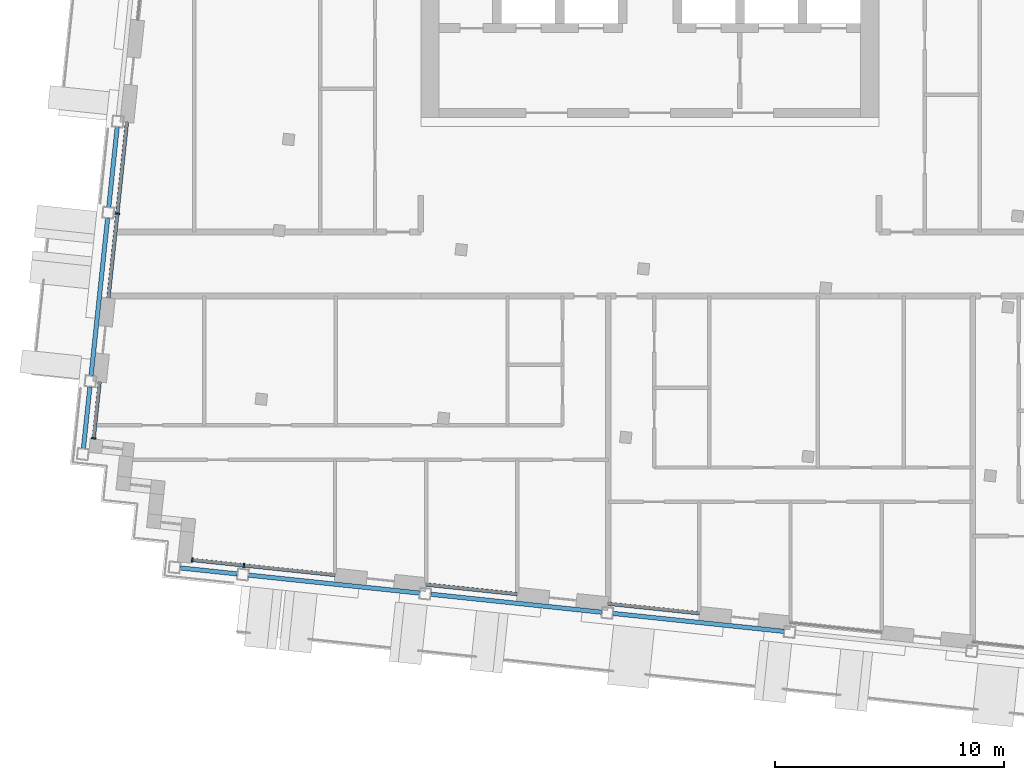
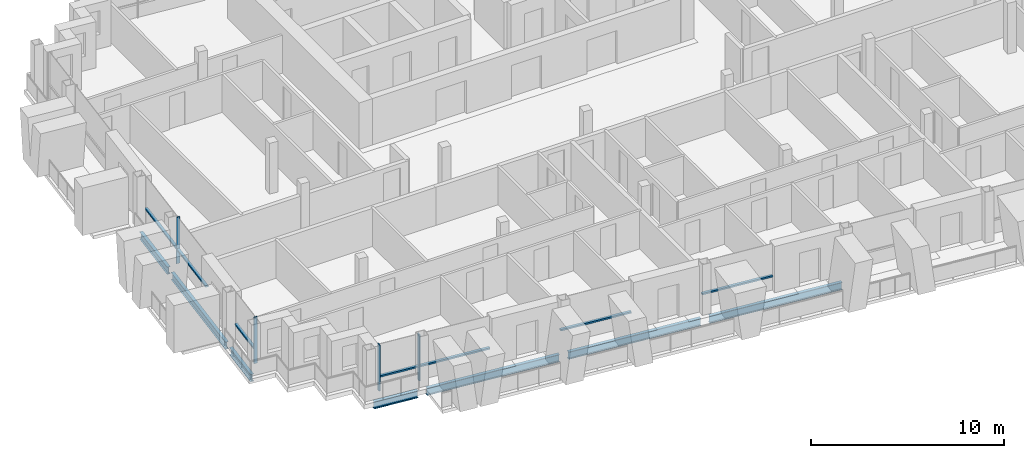
# One storey, part 2 of 17: 11 members, 7 beams, 5 elements without a shape of their own.
"""IFC4 building model written with IfcOpenShell, lengths in metres."""

from ifc_helpers import new_model, si_unit, direction, frame, origin, origin_2d, place, context, subcontext, project, spatial, rectangle, i_section, extrude, material, material_profile, profile_set, type_object, element, aggregate, save


model = new_model("IFC4")

# Units and contexts
model_context = context("Model", 3, precision=1e-05, world=origin(), true_north=direction((0.0, 1.0)))
body_context = subcontext(model_context, "Body", "Model", "MODEL_VIEW")
ifc_project = project(units=[si_unit("LENGTHUNIT", "METRE"), si_unit("AREAUNIT", "SQUARE_METRE"), si_unit("VOLUMEUNIT", "CUBIC_METRE"), si_unit("PLANEANGLEUNIT", "RADIAN"), si_unit("MASSUNIT", "GRAM", prefix="KILO")], contexts=[model_context])

# Site, building, storey
site_placement = place(None, origin())
site = spatial("IfcSite", under=ifc_project, at=site_placement, CompositionType="ELEMENT")
building_placement = place(site_placement, origin())
building = spatial("IfcBuilding", under=site, at=building_placement, Name="Vidyagriha Tower", CompositionType="ELEMENT")
storey_placement = place(building_placement, frame((0.0, 0.0, 269.10009765625)))
storey = spatial("IfcBuildingStorey", under=building, at=storey_placement, Name="L70", CompositionType="ELEMENT", Elevation=269.10009765625)

# Beams
ifc_material_1 = material(Name="Steel ASTM A992 Grade 50", Category="steel")
ifc_material_profile_1 = material_profile(ifc_material_1, i_section(OverallWidth=0.19189453125, OverallDepth=0.46240234375, WebThickness=0.010498046875, FlangeThickness=0.017578125, at=origin_2d()), Name="W18X60")
ifc_profile_set_1 = profile_set([ifc_material_profile_1], Name="Steel ASTM A992 Grade 50")
beam_type = type_object("IfcBeamType", Name="Edge beam W18X60", PredefinedType="SPANDREL", material=ifc_profile_set_1)
beam_1_placement = place(storey_placement, frame((-20.50341796875, -13.268798828125, -0.51123046875), z_axis=(0.994525767953, -0.104491611519, 0.0), x_axis=(0.104491611519, 0.994525767953, 0.0)))
element("IfcBeam", 1, at=beam_1_placement, inside=storey, type_object=beam_type, Name="st-beam-L70-S01", PredefinedType="SPANDREL", context=body_context, shape_type="SweptSolid", body=[
    extrude(i_section(OverallWidth=0.19189453125, OverallDepth=0.46240234375, WebThickness=0.010498046875, FlangeThickness=0.017578125, at=origin_2d()), origin(), (0.0, 0.0, 1.0), 2.5),
])
for number, where, z_axis, x_axis, name in (
    (2, (-17.519775390625, -13.582275390625, -0.51123046875), (0.994522384662, -0.104523807841, 0.0), (0.104523807841, 0.994522384662, 0.0), "st-beam-L70-S02"),
    (3, (-9.563720703125, -14.418701171875, -0.51123046875), (0.994525767953, -0.104491611519, 0.0), (0.104491611519, 0.994525767953, 0.0), "st-beam-L70-S03"),
    (4, (-1.607421875, -15.2548828125, -0.51123046875), (0.994522384662, -0.104523807841, 0.0), (0.104523807841, 0.994522384662, 0.0), "st-beam-L70-S04"),
):
    element("IfcBeam", number, at=place(storey_placement, frame(where, z_axis=z_axis, x_axis=x_axis)), inside=storey, type_object=beam_type, Name=name, PredefinedType="SPANDREL", context=body_context, shape_type="SweptSolid", body=[
        extrude(i_section(OverallWidth=0.19189453125, OverallDepth=0.46240234375, WebThickness=0.010498046875, FlangeThickness=0.017578125, at=origin_2d()), origin(), (0.0, 0.0, 1.0), 7.5),
    ])
beam_2_placement = place(storey_placement, frame((-24.730712890625, -8.04833984375, -0.51123046875), z_axis=(0.104524753323, 0.994522285292, 0.0), x_axis=(-0.994522285292, 0.104524753323, 0.0)))
element("IfcBeam", 5, at=beam_2_placement, inside=storey, type_object=beam_type, Name="st-beam-L70-W08", PredefinedType="SPANDREL", context=body_context, shape_type="SweptSolid", body=[
    extrude(i_section(OverallWidth=0.19189453125, OverallDepth=0.46240234375, WebThickness=0.010498046875, FlangeThickness=0.017578125, at=origin_2d()), origin(), (0.0, 0.0, 1.0), 2.7001953125),
])
beam_3_placement = place(storey_placement, frame((-24.396484375, -4.86572265625, -0.51123046875), z_axis=(0.104557694553, 0.994518822602, 0.0), x_axis=(-0.994518822602, 0.104557694553, 0.0)))
element("IfcBeam", 6, at=beam_3_placement, inside=storey, type_object=beam_type, Name="st-beam-L70-W09", PredefinedType="SPANDREL", context=body_context, shape_type="SweptSolid", body=[
    extrude(i_section(OverallWidth=0.19189453125, OverallDepth=0.46240234375, WebThickness=0.010498046875, FlangeThickness=0.017578125, at=origin_2d()), origin(), (0.0, 0.0, 1.0), 6.89990234375),
])
beam_4_placement = place(storey_placement, frame((-23.622802734375, 2.49365234375, -0.51123046875), z_axis=(0.104488712073, 0.994526072584, 0.0), x_axis=(-0.994526072584, 0.104488712073, 0.0)))
element("IfcBeam", 7, at=beam_4_placement, inside=storey, type_object=beam_type, Name="st-beam-L70-W10", PredefinedType="SPANDREL", context=body_context, shape_type="SweptSolid", body=[
    extrude(i_section(OverallWidth=0.19189453125, OverallDepth=0.46240234375, WebThickness=0.010498046875, FlangeThickness=0.017578125, at=origin_2d()), origin(), (0.0, 0.0, 1.0), 3.5),
])

# Curtain wall, member
ifc_material_2 = material(Name="Aluminium and glass curtain wall", Category="aluminium")
curtain_wall_type = type_object("IfcCurtainWallType", Name="Dwelling skin unitised curtain wall", PredefinedType="USERDEFINED", material=ifc_material_2)
curtain_wall_1_placement = place(storey_placement, origin())
curtain_wall_1 = element("IfcCurtainWall", 8, at=curtain_wall_1_placement, inside=storey, type_object=curtain_wall_type, Name="CW1 dwelling skin", ObjectType="UNITISED", PredefinedType="USERDEFINED")
ifc_material_3 = material(Name="Aluminium black anodised", Category="aluminium")
ifc_material_profile_2 = material_profile(ifc_material_3, rectangle(XDim=0.199951171875, YDim=0.070068359375, at=origin_2d()), Name="Mullion 70x200 black aluminium")
ifc_profile_set_2 = profile_set([ifc_material_profile_2], Name="Aluminium black anodised")
member_type_1 = type_object("IfcMemberType", Name="Mullion 70x200 black aluminium", PredefinedType="MULLION", material=ifc_profile_set_2)
member_1_placement = place(storey_placement, frame((-23.251220703125, 2.203369140625, 0.0), z_axis=(0.0, 0.0, 1.0), x_axis=(0.994521452706, -0.10453267483, 0.0)))
member_1 = element("IfcMember", 9, at=member_1_placement, type_object=member_type_1, Name="CW1 mullion 2", PredefinedType="MULLION", context=body_context, shape_type="SweptSolid", body=[
    extrude(rectangle(XDim=0.199951171875, YDim=0.070068359375, at=origin_2d()), origin(), (0.0, 0.0, 1.0), 2.919921875),
])

curtain_wall_2_placement = place(storey_placement, origin())
curtain_wall_2 = element("IfcCurtainWall", 10, at=curtain_wall_2_placement, inside=storey, type_object=curtain_wall_type, Name="CW1 dwelling skin", ObjectType="UNITISED", PredefinedType="USERDEFINED")
member_2_placement = place(storey_placement, frame((-24.2822265625, -7.60791015625, 0.0), z_axis=(0.0, 0.0, 1.0), x_axis=(0.994523191389, -0.10451613172, 0.0)))
member_2 = element("IfcMember", 11, at=member_2_placement, type_object=member_type_1, Name="CW1 mullion 2", PredefinedType="MULLION", context=body_context, shape_type="SweptSolid", body=[
    extrude(rectangle(XDim=0.199951171875, YDim=0.070068359375, at=origin_2d()), origin(), (0.0, 0.0, 1.0), 2.919921875),
])

# Curtain wall, members
curtain_wall_3_placement = place(storey_placement, origin())
curtain_wall_3 = element("IfcCurtainWall", 12, at=curtain_wall_3_placement, inside=storey, type_object=curtain_wall_type, Name="CW1 dwelling skin", ObjectType="UNITISED", PredefinedType="USERDEFINED")
member_3_placement = place(storey_placement, frame((-19.979248046875, -12.921630859375, 0.0), z_axis=(0.0, 0.0, 1.0), x_axis=(0.104523661385, 0.994522400055, 0.0)))
member_3 = element("IfcMember", 13, at=member_3_placement, type_object=member_type_1, Name="CW1 mullion 1", PredefinedType="MULLION", context=body_context, shape_type="SweptSolid", body=[
    extrude(rectangle(XDim=0.199951171875, YDim=0.070068359375, at=origin_2d()), origin(), (0.0, 0.0, 1.0), 2.919921875),
])
member_4_placement = place(storey_placement, frame((-17.7265625, -13.158447265625, 0.0), z_axis=(0.0, 0.0, 1.0), x_axis=(0.104523661385, 0.994522400055, 0.0)))
member_4 = element("IfcMember", 14, at=member_4_placement, type_object=member_type_1, Name="CW1 mullion 2", PredefinedType="MULLION", context=body_context, shape_type="SweptSolid", body=[
    extrude(rectangle(XDim=0.199951171875, YDim=0.070068359375, at=origin_2d()), origin(), (0.0, 0.0, 1.0), 2.919921875),
])

# Member
ifc_material_4 = material(Name="Aluminium black anodised", Category="aluminium")
ifc_material_profile_3 = material_profile(ifc_material_4, rectangle(XDim=0.159912109375, YDim=0.10009765625, at=origin_2d()), Name="Transom 100x160 black aluminium")
ifc_profile_set_3 = profile_set([ifc_material_profile_3], Name="Aluminium black anodised")
member_type_2 = type_object("IfcMemberType", Name="Transom 100x160 black aluminium", PredefinedType="USERDEFINED", material=ifc_profile_set_3)
member_5_placement = place(storey_placement, frame((-22.8330078125, 6.181396484375, 0.89990234375), z_axis=(-0.104550167438, -0.994519613929, 0.0), x_axis=(0.994519613929, -0.104550167438, 0.0)))
member_5 = element("IfcMember", 15, at=member_5_placement, type_object=member_type_2, Name="CW1 transom 1.1", ObjectType="TRANSOM", PredefinedType="USERDEFINED", context=body_context, shape_type="SweptSolid", body=[
    extrude(rectangle(XDim=0.159912109375, YDim=0.10009765625, at=origin_2d()), origin(), (0.0, 0.0, 1.0), 3.965087890625),
])

member_6_placement = place(storey_placement, frame((-23.2548828125, 2.16845703125, 0.89990234375), z_axis=(-0.104521800028, -0.99452259568, 0.0), x_axis=(0.99452259568, -0.104521800028, 0.0)))
member_6 = element("IfcMember", 16, at=member_6_placement, type_object=member_type_2, Name="CW1 transom 2.1", ObjectType="TRANSOM", PredefinedType="USERDEFINED", context=body_context, shape_type="SweptSolid", body=[
    extrude(rectangle(XDim=0.159912109375, YDim=0.10009765625, at=origin_2d()), origin(), (0.0, 0.0, 1.0), 3.664794921875),
])

aggregate(curtain_wall_1, [member_1, member_5, member_6])

member_7_placement = place(storey_placement, frame((-24.024658203125, -5.15625, 0.89990234375), z_axis=(-0.104486049741, -0.994526352295, 0.0), x_axis=(0.994526352295, -0.104486049741, 0.0)))
member_7 = element("IfcMember", 17, at=member_7_placement, type_object=member_type_2, Name="CW1 transom 1.1", ObjectType="TRANSOM", PredefinedType="USERDEFINED", context=body_context, shape_type="SweptSolid", body=[
    extrude(rectangle(XDim=0.159912109375, YDim=0.10009765625, at=origin_2d()), origin(), (0.0, 0.0, 1.0), 2.429931640625),
])

aggregate(curtain_wall_2, [member_2, member_7])

member_8_placement = place(storey_placement, frame((-19.9443359375, -12.92529296875, 0.89990234375), z_axis=(0.994518853465, -0.104557400991, 0.0), x_axis=(0.104557400991, 0.994518853465, 0.0)))
member_8 = element("IfcMember", 18, at=member_8_placement, type_object=member_type_2, Name="CW1 transom 1.1", ObjectType="TRANSOM", PredefinedType="USERDEFINED", context=body_context, shape_type="SweptSolid", body=[
    extrude(rectangle(XDim=0.159912109375, YDim=0.10009765625, at=origin_2d()), origin(), (0.0, 0.0, 1.0), 2.19482421875),
])

member_9_placement = place(storey_placement, frame((-17.69189453125, -13.162109375, 0.89990234375), z_axis=(0.994526014245, -0.104489267346, 0.0), x_axis=(0.104489267346, 0.994526014245, 0.0)))
member_9 = element("IfcMember", 19, at=member_9_placement, type_object=member_type_2, Name="CW1 transom 2.1", ObjectType="TRANSOM", PredefinedType="USERDEFINED", context=body_context, shape_type="SweptSolid", body=[
    extrude(rectangle(XDim=0.159912109375, YDim=0.10009765625, at=origin_2d()), origin(), (0.0, 0.0, 1.0), 3.965087890625),
])

aggregate(curtain_wall_3, [member_3, member_4, member_8, member_9])

# Curtain wall, member
curtain_wall_4_placement = place(storey_placement, origin())
curtain_wall_4 = element("IfcCurtainWall", 20, at=curtain_wall_4_placement, inside=storey, type_object=curtain_wall_type, Name="CW1 dwelling skin", ObjectType="UNITISED", PredefinedType="USERDEFINED")
member_10_placement = place(storey_placement, frame((-9.7705078125, -13.99462890625, 0.89990234375), z_axis=(0.99451982373, -0.104548171712, 0.0), x_axis=(0.104548171712, 0.99451982373, 0.0)))
member_10 = element("IfcMember", 21, at=member_10_placement, type_object=member_type_2, Name="CW1 transom 1.1", ObjectType="TRANSOM", PredefinedType="USERDEFINED", context=body_context, shape_type="SweptSolid", body=[
    extrude(rectangle(XDim=0.159912109375, YDim=0.10009765625, at=origin_2d()), origin(), (0.0, 0.0, 1.0), 4.000244140625),
])
aggregate(curtain_wall_4, [member_10])

curtain_wall_5_placement = place(storey_placement, origin())
curtain_wall_5 = element("IfcCurtainWall", 22, at=curtain_wall_5_placement, inside=storey, type_object=curtain_wall_type, Name="CW1 dwelling skin", ObjectType="UNITISED", PredefinedType="USERDEFINED")
member_11_placement = place(storey_placement, frame((-1.814208984375, -14.830810546875, 0.89990234375), z_axis=(0.994519156568, -0.104554517933, 0.0), x_axis=(0.104554517933, 0.994519156568, 0.0)))
member_11 = element("IfcMember", 23, at=member_11_placement, type_object=member_type_2, Name="CW1 transom 1.1", ObjectType="TRANSOM", PredefinedType="USERDEFINED", context=body_context, shape_type="SweptSolid", body=[
    extrude(rectangle(XDim=0.159912109375, YDim=0.10009765625, at=origin_2d()), origin(), (0.0, 0.0, 1.0), 4.0),
])
aggregate(curtain_wall_5, [member_11])

save(model, "model.ifc")
